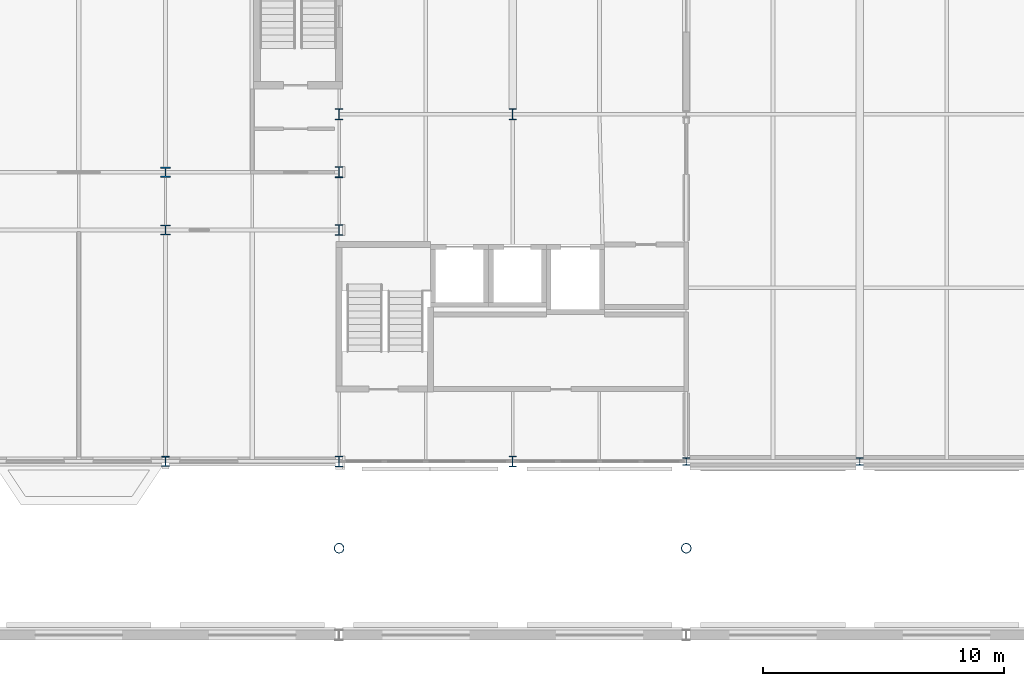
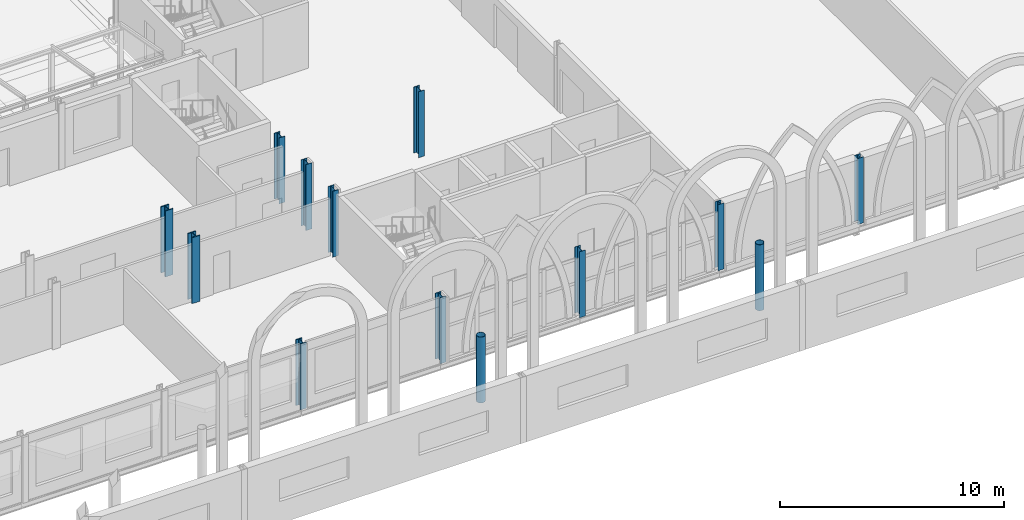
# One storey, part 23 of 143: 13 columns.
"""IFC4 building model written with IfcOpenShell, lengths in metres."""

from ifc_helpers import new_model, si_unit, direction, frame, origin, origin_2d, place, context, subcontext, project, spatial, hollow_circle, i_section, extrude, material, material_profile, profile_set, type_object, element, save


model = new_model("IFC4")

# Units and contexts
model_context = context("Model", 3, precision=1e-05, world=origin(), true_north=direction((0.0, 1.0)))
body_context = subcontext(model_context, "Body", "Model", "MODEL_VIEW")
ifc_project = project(units=[si_unit("LENGTHUNIT", "METRE"), si_unit("AREAUNIT", "SQUARE_METRE"), si_unit("VOLUMEUNIT", "CUBIC_METRE"), si_unit("PLANEANGLEUNIT", "RADIAN"), si_unit("MASSUNIT", "GRAM", prefix="KILO")], contexts=[model_context])

# Site, building, storey
site_placement = place(None, origin())
site = spatial("IfcSite", under=ifc_project, at=site_placement, CompositionType="ELEMENT")
building_placement = place(site_placement, origin())
building = spatial("IfcBuilding", under=site, at=building_placement, Name="Kupolbacken Congress Centre", CompositionType="ELEMENT")
storey_placement = place(building_placement, frame((0.0, 0.0, 7.199951171875)))
storey = spatial("IfcBuildingStorey", under=building, at=storey_placement, Name="L02", CompositionType="ELEMENT", Elevation=7.199951171875)

# Columns
ifc_material_1 = material(Name="Steel S355", Category="steel")
ifc_material_profile_1 = material_profile(ifc_material_1, i_section(OverallWidth=0.408935546875, OverallDepth=0.425048828125, WebThickness=0.03271484375, FlangeThickness=0.052490234375, FilletRadius=0.014892578125, at=origin_2d()), Name="HD 400 x 421")
ifc_profile_set_1 = profile_set([ifc_material_profile_1], Name="Steel S355")
column_type_1 = type_object("IfcColumnType", Name="C01 column HD 400 x 421", PredefinedType="COLUMN", material=ifc_profile_set_1)
for number, where, z_axis, x_axis, name in (
    (1, (129.60009765625, 132.0, 0.0), (0.0, 0.0, 1.0), (1.0, 0.0, 0.0), "S/col/C-T-19U+2400/L02"),
    (2, (129.60009765625, 134.39990234375, 0.0), (0.0, 0.0, 1.0), (1.0, 0.0, 0.0), "S/col/C-T-19U+4800/L02"),
):
    element("IfcColumn", number, at=place(storey_placement, frame(where, z_axis=z_axis, x_axis=x_axis)), inside=storey, type_object=column_type_1, Name=name, PredefinedType="COLUMN", context=body_context, shape_type="SweptSolid", body=[
        extrude(i_section(OverallWidth=0.408935546875, OverallDepth=0.425048828125, WebThickness=0.03271484375, FlangeThickness=0.052490234375, FilletRadius=0.014892578125, at=origin_2d()), origin(), (0.0, 0.0, 1.0), 3.60009765625),
    ])
ifc_material_2 = material(Name="Steel S355", Category="steel")
ifc_material_profile_2 = material_profile(ifc_material_2, i_section(OverallWidth=0.306884765625, OverallDepth=0.431884765625, WebThickness=0.02099609375, FlangeThickness=0.0400390625, FilletRadius=0.027099609375, at=origin_2d()), Name="HEM 400")
ifc_profile_set_2 = profile_set([ifc_material_profile_2], Name="Steel S355")
column_type_2 = type_object("IfcColumnType", Name="C02 column HEM 400", PredefinedType="COLUMN", material=ifc_profile_set_2)
column_placement = place(storey_placement, frame((129.60009765625, 122.39990234375, 0.0), z_axis=(0.0, 0.0, 1.0), x_axis=(1.0, 0.0, 0.0)))
element("IfcColumn", 3, at=column_placement, inside=storey, type_object=column_type_2, Name="S/col/C-T-19T/L02", PredefinedType="COLUMN", context=body_context, shape_type="SweptSolid", body=[
    extrude(i_section(OverallWidth=0.306884765625, OverallDepth=0.431884765625, WebThickness=0.02099609375, FlangeThickness=0.0400390625, FilletRadius=0.027099609375, at=origin_2d()), origin(), (0.0, 0.0, 1.0), 3.60009765625),
])
ifc_material_3 = material(Name="Steel S355", Category="steel")
ifc_material_profile_3 = material_profile(ifc_material_3, i_section(OverallWidth=0.300048828125, OverallDepth=0.449951171875, WebThickness=0.013916015625, FlangeThickness=0.02587890625, FilletRadius=0.027099609375, at=origin_2d()), Name="HEB 450")
ifc_profile_set_3 = profile_set([ifc_material_profile_3], Name="Steel S355")
column_type_3 = type_object("IfcColumnType", Name="C03 column HEB 450", PredefinedType="COLUMN", material=ifc_profile_set_3)
for number, where, z_axis, x_axis, name in (
    (4, (136.800048828125, 136.800048828125, 0.0), (0.0, 0.0, 1.0), (1.0, 0.0, 0.0), "S/col/C-BF-20V/L02"),
    (5, (144.0, 122.39990234375, 0.0), (0.0, 0.0, 1.0), (1.0, 0.0, 0.0), "S/col/C-BF-21T/L02"),
    (6, (144.0, 136.800048828125, 0.0), (0.0, 0.0, 1.0), (1.0, 0.0, 0.0), "S/col/C-BF-21V/L02"),
    (7, (136.800048828125, 122.39990234375, 0.0), (0.0, 0.0, 1.0), (1.0, 0.0, 0.0), "S/col/C-T-20T/L02"),
    (8, (136.800048828125, 132.0, 0.0), (0.0, 0.0, 1.0), (1.0, 0.0, 0.0), "S/col/C-T-20U+2400/L02"),
    (9, (136.800048828125, 134.39990234375, 0.0), (0.0, 0.0, 1.0), (1.0, 0.0, 0.0), "S/col/C-T-20U+4800/L02"),
):
    element("IfcColumn", number, at=place(storey_placement, frame(where, z_axis=z_axis, x_axis=x_axis)), inside=storey, type_object=column_type_3, Name=name, PredefinedType="COLUMN", context=body_context, shape_type="SweptSolid", body=[
        extrude(i_section(OverallWidth=0.300048828125, OverallDepth=0.449951171875, WebThickness=0.013916015625, FlangeThickness=0.02587890625, FilletRadius=0.027099609375, at=origin_2d()), origin(), (0.0, 0.0, 1.0), 3.60009765625),
    ])
ifc_material_4 = material(Name="Steel S355", Category="steel")
ifc_material_profile_4 = material_profile(ifc_material_4, i_section(OverallWidth=0.300048828125, OverallDepth=0.300048828125, WebThickness=0.010986328125, FlangeThickness=0.01904296875, FilletRadius=0.027099609375, at=origin_2d()), Name="HEB 300")
ifc_profile_set_4 = profile_set([ifc_material_profile_4], Name="Steel S355")
column_type_4 = type_object("IfcColumnType", Name="C06 column HEB 300", PredefinedType="COLUMN", material=ifc_profile_set_4)
for number, where, z_axis, x_axis, name in (
    (10, (151.199951171875, 122.39990234375, 0.0), (0.0, 0.0, 1.0), (1.0, 0.0, 0.0), "S/col/C-B-B1S/L02"),
    (11, (158.39990234375, 122.39990234375, 0.0), (0.0, 0.0, 1.0), (1.0, 0.0, 0.0), "S/col/C-B-B2S/L02"),
):
    element("IfcColumn", number, at=place(storey_placement, frame(where, z_axis=z_axis, x_axis=x_axis)), inside=storey, type_object=column_type_4, Name=name, PredefinedType="COLUMN", context=body_context, shape_type="SweptSolid", body=[
        extrude(i_section(OverallWidth=0.300048828125, OverallDepth=0.300048828125, WebThickness=0.010986328125, FlangeThickness=0.01904296875, FilletRadius=0.027099609375, at=origin_2d()), origin(), (0.0, 0.0, 1.0), 3.60009765625),
    ])
ifc_material_5 = material(Name="Steel S355", Category="steel")
ifc_material_profile_5 = material_profile(ifc_material_5, hollow_circle(Radius=0.203125, WallThickness=0.01611328125, at=origin_2d()), Name="CHS 406.4 x 16")
ifc_profile_set_5 = profile_set([ifc_material_profile_5], Name="Steel S355")
column_type_5 = type_object("IfcColumnType", Name="C15 roof mast CHS 406.4 x 16", PredefinedType="COLUMN", material=ifc_profile_set_5)
for number, where, z_axis, x_axis, name in (
    (12, (136.800048828125, 118.800048828125, 0.0), (0.0, 0.0, 1.0), (1.0, 0.0, 0.0), "Roof mast M4N"),
    (13, (151.199951171875, 118.800048828125, 0.0), (0.0, 0.0, 1.0), (1.0, 0.0, 0.0), "Roof mast M5N"),
):
    element("IfcColumn", number, at=place(storey_placement, frame(where, z_axis=z_axis, x_axis=x_axis)), inside=storey, type_object=column_type_5, Name=name, PredefinedType="COLUMN", context=body_context, shape_type="SweptSolid", body=[
        extrude(hollow_circle(Radius=0.203125, WallThickness=0.01611328125, at=origin_2d()), origin(), (0.0, 0.0, 1.0), 3.60009765625),
    ])

save(model, "model.ifc")
